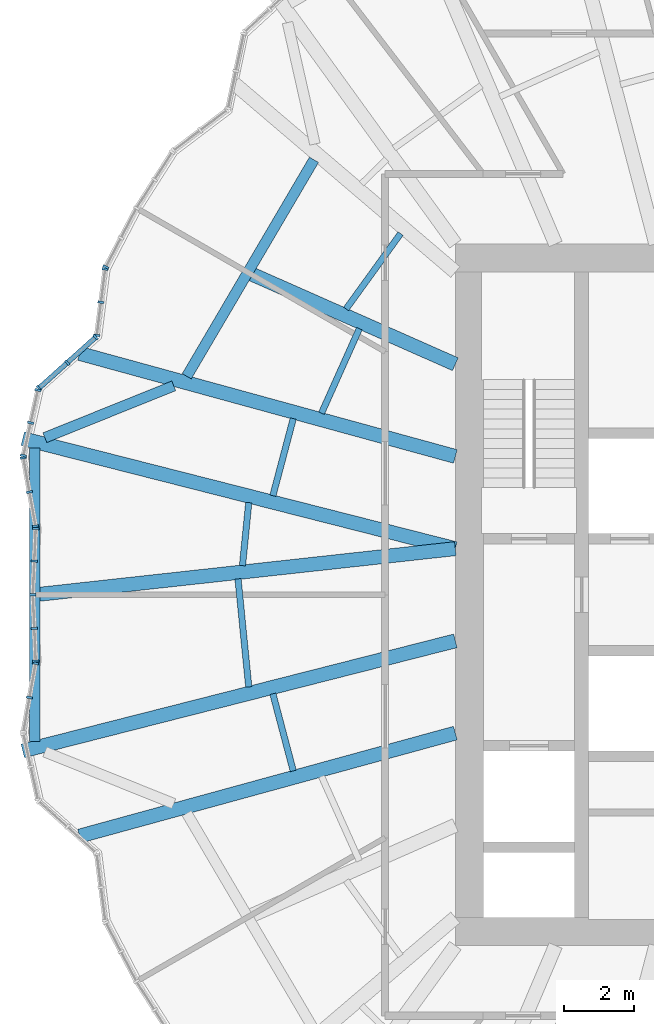
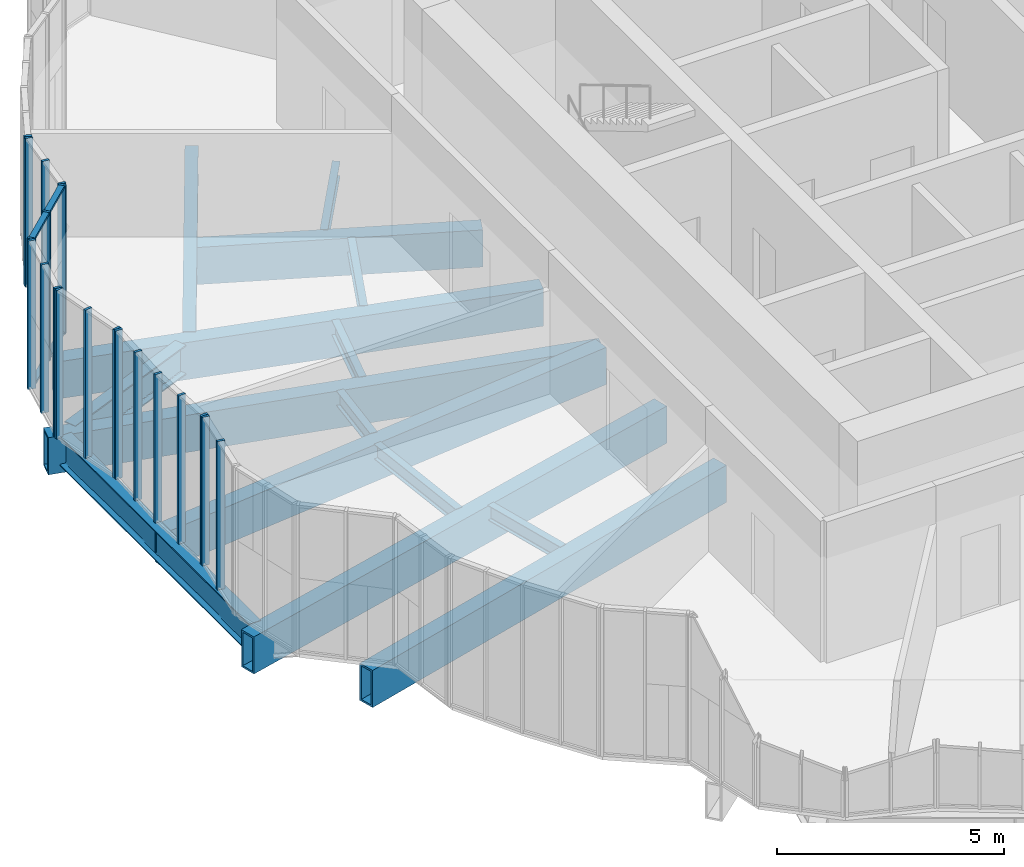
# One storey, part 4 of 23: 24 members, 15 beams, 8 elements without a shape of their own.
"""IFC4 building model written with IfcOpenShell, lengths in metres."""

import ifcopenshell
import ifcopenshell.guid

model = None  # the IFC model being written
_history = None  # IfcOwnerHistory: only IFC2X3 demands one
_inside = {}  # id of a spatial element -> (the spatial element, [elements in it])
_under = {}  # id of a project, library or spatial element -> (it, [spatial elements below it])
_declared = {}  # id of a project -> (the project, [libraries it declares])
_typed = {}  # id of a type object -> (the type object, [elements of that type])
_made_of = {}  # id of a material, layer set ... -> (it, [elements and type objects made of it])


def new_model(schema):
    """Start an empty IFC model of exactly this schema.

    Asked for "IFC4X3", IfcOpenShell would pick the latest addendum, in which some entities
    have other attributes; the version numbers below select the first issue.
    IFC2X3 requires an IfcOwnerHistory on every rooted entity: one is made here for all.
    """
    global model, _history
    if schema == "IFC4X3":
        model = ifcopenshell.file(schema_version=(4, 3, 0, 0))
    else:
        model = ifcopenshell.file(schema=schema)
    _inside.clear()
    _under.clear()
    _declared.clear()
    _typed.clear()
    _made_of.clear()
    _history = None
    if model.schema == "IFC2X3":
        org = make("IfcOrganization", Name="unknown")
        user = make(
            "IfcPersonAndOrganization",
            ThePerson=make("IfcPerson", FamilyName="unknown"),
            TheOrganization=org,
        )
        app = make(
            "IfcApplication",
            ApplicationDeveloper=org,
            Version="unknown",
            ApplicationFullName="unknown",
            ApplicationIdentifier="unknown",
        )
        _history = make(
            "IfcOwnerHistory",
            OwningUser=user,
            OwningApplication=app,
            ChangeAction="ADDED",
            CreationDate=0,
        )
    return model


def make(cls, **values):
    """One entity of the class cls with the attributes given. An attribute that is None is left unset."""
    return model.create_entity(
        cls, **{name: value for name, value in values.items() if value is not None}
    )


def rooted(cls, **values):
    """An entity with a GlobalId (a new one), such as an element, a storey or a relation."""
    return make(cls, GlobalId=ifcopenshell.guid.new(), OwnerHistory=_history, **values)


def si_unit(unit_type, name, prefix=None):
    """IfcSIUnit, for example si_unit("LENGTHUNIT", "METRE", prefix="MILLI")."""
    return make("IfcSIUnit", UnitType=unit_type, Prefix=prefix, Name=name)


def assignment(units):
    """IfcUnitAssignment: the units of a project."""
    return None if units is None else make("IfcUnitAssignment", Units=units)


def point(xyz):
    """IfcCartesianPoint."""
    return None if xyz is None else make("IfcCartesianPoint", Coordinates=xyz)


def direction(xyz):
    """IfcDirection."""
    return None if xyz is None else make("IfcDirection", DirectionRatios=xyz)


def frame(location, z_axis=None, x_axis=None):
    """IfcAxis2Placement3D, a coordinate frame: its origin and axes. An axis left out is left unset."""
    return make(
        "IfcAxis2Placement3D",
        Location=point(location),
        Axis=direction(z_axis),
        RefDirection=direction(x_axis),
    )


def frame_2d(location, x_axis=None):
    """IfcAxis2Placement2D, a coordinate frame in the plane: its origin and x axis."""
    return make(
        "IfcAxis2Placement2D", Location=point(location), RefDirection=direction(x_axis)
    )


def origin():
    """The frame at (0, 0, 0) with its axes left unset."""
    return frame((0.0, 0.0, 0.0))


def origin_2d():
    """The frame at (0, 0) in the plane with its x axis left unset."""
    return frame_2d((0.0, 0.0))


def place(relative_to, where):
    """IfcLocalPlacement: puts the frame where relative to a parent placement (None: the world)."""
    return make(
        "IfcLocalPlacement", PlacementRelTo=relative_to, RelativePlacement=where
    )


def context(
    kind, dimensions, precision=None, world=None, true_north=None, identifier=None
):
    """IfcGeometricRepresentationContext, for example the 3D "Model" context."""
    return make(
        "IfcGeometricRepresentationContext",
        ContextIdentifier=identifier,
        ContextType=kind,
        CoordinateSpaceDimension=dimensions,
        Precision=precision,
        WorldCoordinateSystem=world,
        TrueNorth=true_north,
    )


def subcontext(parent, identifier, kind, view, scale=None):
    """IfcGeometricRepresentationSubContext, for example "Body" below "Model"."""
    return make(
        "IfcGeometricRepresentationSubContext",
        ContextIdentifier=identifier,
        ContextType=kind,
        ParentContext=parent,
        TargetScale=scale,
        TargetView=view,
    )


def project(units=None, contexts=None):
    """IfcProject with its units and contexts."""
    return rooted(
        "IfcProject",
        Name="project",
        RepresentationContexts=contexts,
        UnitsInContext=assignment(units),
    )


def spatial(cls, under=None, at=None, **own):
    """A site, building, storey or space (cls), placed at a placement, below another one or the project."""
    s = rooted(cls, ObjectPlacement=at, **own)
    if under is not None:
        _under.setdefault(under.id(), (under, []))[1].append(s)
    return s


def profile(cls, at=None, kind="AREA", **sizes):
    """A parametric profile (cls). Its sizes go by their IFC names, for example OverallWidth=200.0."""
    return make(cls, ProfileType=kind, Position=at, **sizes)


def rectangle(**sizes):
    """IfcRectangleProfileDef."""
    return profile("IfcRectangleProfileDef", **sizes)


def hollow_rectangle(**sizes):
    """IfcRectangleHollowProfileDef."""
    return profile("IfcRectangleHollowProfileDef", **sizes)


def i_section(**sizes):
    """IfcIShapeProfileDef."""
    return profile("IfcIShapeProfileDef", **sizes)


def extrude(swept, where, along, depth):
    """IfcExtrudedAreaSolid: the profile swept, set in the frame where, extruded along a direction by depth."""
    return make(
        "IfcExtrudedAreaSolid",
        SweptArea=swept,
        Position=where,
        ExtrudedDirection=direction(along),
        Depth=depth,
    )


def shape(context_of_items, identifier, shape_type, items):
    """IfcShapeRepresentation: the items that make up one representation, for example the "Body"."""
    return make(
        "IfcShapeRepresentation",
        ContextOfItems=context_of_items,
        RepresentationIdentifier=identifier,
        RepresentationType=shape_type,
        Items=items,
    )


def material(Name=None, Category=None):
    """IfcMaterial."""
    return make("IfcMaterial", Name=Name, Category=Category)


def material_profile(
    of_material, cross_section, Name=None, Category=None, Priority=None
):
    """IfcMaterialProfile: a cross section and its material."""
    return make(
        "IfcMaterialProfile",
        Name=Name,
        Material=of_material,
        Profile=cross_section,
        Priority=Priority,
        Category=Category,
    )


def profile_set(profiles, Name=None, composite=None):
    """IfcMaterialProfileSet."""
    return make(
        "IfcMaterialProfileSet",
        Name=Name,
        MaterialProfiles=profiles,
        CompositeProfile=composite,
    )


def made_of(thing, what):
    """Note that an element or type object is made of a material, layer set ...; save() writes the relation."""
    if what is not None:
        _made_of.setdefault(what.id(), (what, []))[1].append(thing)
    return thing


def type_object(cls, material=None, **own):
    """A type object (cls), such as IfcWallType, which elements share."""
    return made_of(rooted(cls, **own), material)


def element(
    cls,
    number,
    at=None,
    inside=None,
    cuts=None,
    type_object=None,
    material=None,
    context=None,
    identifier="Body",
    shape_type=None,
    held_by="IfcProductDefinitionShape",
    body=None,
    shapes=None,
    **own,
):
    """One element of the class cls, such as IfcWall. Its Tag is "e" and its number.

    at: its placement. inside: the storey or other place that contains it. cuts: it is an
    opening in that element (IfcRelVoidsElement). A single representation is given by context,
    identifier, shape_type and body (its items); several are given by shapes. held_by: the class
    of the entity that holds the representations. save() writes the other relations.
    """
    e = rooted(cls, Tag="e%d" % number, ObjectPlacement=at, **own)
    if body is not None:
        shapes = [shape(context, identifier, shape_type, body)]
    if shapes is not None:
        e.Representation = make(held_by, Representations=shapes)
    if inside is not None:
        _inside.setdefault(inside.id(), (inside, []))[1].append(e)
    if cuts is not None:
        rooted(
            "IfcRelVoidsElement", RelatingBuildingElement=cuts, RelatedOpeningElement=e
        )
    if type_object is not None:
        _typed.setdefault(type_object.id(), (type_object, []))[1].append(e)
    return made_of(e, material)


def aggregate(whole, parts):
    """IfcRelAggregates: a whole, such as a stair, and the parts it consists of."""
    return rooted("IfcRelAggregates", RelatingObject=whole, RelatedObjects=parts)


def save(model, path):
    """Write the relations noted so far, then the file.

    IfcRelAggregates (storeys below a building ...), IfcRelContainedInSpatialStructure (elements
    in a storey), IfcRelDefinesByType, IfcRelAssociatesMaterial and IfcRelDeclares: one each for
    every whole, place, type object, material and project.
    """
    for whole, parts in _under.values():
        aggregate(whole, parts)
    for where, things in _inside.values():
        rooted(
            "IfcRelContainedInSpatialStructure",
            RelatedElements=things,
            RelatingStructure=where,
        )
    for kind, things in _typed.values():
        rooted("IfcRelDefinesByType", RelatedObjects=things, RelatingType=kind)
    for what, things in _made_of.values():
        rooted("IfcRelAssociatesMaterial", RelatedObjects=things, RelatingMaterial=what)
    for by, libraries in _declared.values():
        rooted("IfcRelDeclares", RelatingContext=by, RelatedDefinitions=libraries)
    model.write(path)


model = new_model("IFC4")

# Units and contexts
model_context = context("Model", 3, precision=1e-05, world=origin(), true_north=direction((0.0, 1.0)))
body_context = subcontext(model_context, "Body", "Model", "MODEL_VIEW")
ifc_project = project(units=[si_unit("LENGTHUNIT", "METRE"), si_unit("AREAUNIT", "SQUARE_METRE"), si_unit("VOLUMEUNIT", "CUBIC_METRE"), si_unit("PLANEANGLEUNIT", "RADIAN"), si_unit("MASSUNIT", "GRAM", prefix="KILO")], contexts=[model_context])

# Site, building, storey
site_placement = place(None, origin())
site = spatial("IfcSite", under=ifc_project, at=site_placement, CompositionType="ELEMENT")
building_placement = place(site_placement, origin())
building = spatial("IfcBuilding", under=site, at=building_placement, Name="Golbaran Civic Tower", CompositionType="ELEMENT")
storey_placement = place(building_placement, frame((0.0, 0.0, 33.0)))
storey = spatial("IfcBuildingStorey", under=building, at=storey_placement, Name="L07", CompositionType="ELEMENT", Elevation=33.0)

# Beams
ifc_material_1 = material(Name="Steel S355", Category="steel")
ifc_material_profile_1 = material_profile(ifc_material_1, i_section(OverallWidth=0.300048828125, OverallDepth=0.800048828125, WebThickness=0.017578125, FlangeThickness=0.032958984375, FilletRadius=0.030029296875, at=origin_2d()), Name="HEB 800")
ifc_profile_set_1 = profile_set([ifc_material_profile_1], Name="Steel S355")
beam_type_1 = type_object("IfcBeamType", Name="EDGE BEAM HEB 800", PredefinedType="BEAM", material=ifc_profile_set_1)
beam_1_placement = place(storey_placement, frame((-14.029541015625, 12.398193359375, -0.60009765625), z_axis=(-0.506678694853, -0.862134966338, 0.0), x_axis=(0.862134966338, -0.506678694853, 0.0)))
element("IfcBeam", 1, at=beam_1_placement, inside=storey, type_object=beam_type_1, Name="Edge beam 138.26 L07", PredefinedType="BEAM", context=body_context, shape_type="SweptSolid", body=[
    extrude(i_section(OverallWidth=0.300048828125, OverallDepth=0.800048828125, WebThickness=0.017578125, FlangeThickness=0.032958984375, FilletRadius=0.030029296875, at=origin_2d()), origin(), (0.0, 0.0, 1.0), 7.15673828125),
])
beam_2_placement = place(storey_placement, frame((-18.026123046875, 5.9560546875, -0.60009765625), z_axis=(-0.927675405766, -0.373387655845, 0.0), x_axis=(0.373387655845, -0.927675405766, 0.0)))
element("IfcBeam", 2, at=beam_2_placement, inside=storey, type_object=beam_type_1, Name="Edge beam 161.74 L07", PredefinedType="BEAM", context=body_context, shape_type="SweptSolid", body=[
    extrude(i_section(OverallWidth=0.300048828125, OverallDepth=0.800048828125, WebThickness=0.017578125, FlangeThickness=0.032958984375, FilletRadius=0.030029296875, at=origin_2d()), origin(), (0.0, 0.0, 1.0), 3.9609375),
])
beam_3_placement = place(storey_placement, frame((-21.9833984375, 4.177490234375, -0.60009765625), z_axis=(0.0, -1.0, 0.0), x_axis=(1.0, 0.0, 0.0)))
element("IfcBeam", 3, at=beam_3_placement, inside=storey, type_object=beam_type_1, Name="Edge beam 168.64 L07", PredefinedType="BEAM", context=body_context, shape_type="SweptSolid", body=[
    extrude(i_section(OverallWidth=0.300048828125, OverallDepth=0.800048828125, WebThickness=0.017578125, FlangeThickness=0.032958984375, FilletRadius=0.030029296875, at=origin_2d()), origin(), (0.0, 0.0, 1.0), 8.35498046875),
])
ifc_material_profile_2 = material_profile(ifc_material_1, i_section(OverallWidth=0.179931640625, OverallDepth=0.39990234375, WebThickness=0.008544921875, FlangeThickness=0.013427734375, FilletRadius=0.02099609375, at=origin_2d()), Name="IPE 400")
ifc_profile_set_2 = profile_set([ifc_material_profile_2], Name="Steel S355")
beam_type_2 = type_object("IfcBeamType", Name="FLOOR INFILL BEAM IPE 400", PredefinedType="BEAM", material=ifc_profile_set_2)
beam_4_placement = place(storey_placement, frame((-11.56103515625, 10.294189453125, -0.39990234375), z_axis=(-0.585967975109, -0.810334210155, 0.0), x_axis=(0.810334210155, -0.585967975109, 0.0)))
element("IfcBeam", 4, at=beam_4_placement, inside=storey, type_object=beam_type_2, Name="Infill beam 144.13 L07", PredefinedType="BEAM", context=body_context, shape_type="SweptSolid", body=[
    extrude(i_section(OverallWidth=0.179931640625, OverallDepth=0.39990234375, WebThickness=0.008544921875, FlangeThickness=0.013427734375, FilletRadius=0.02099609375, at=origin_2d()), origin(), (0.0, 0.0, 1.0), 2.650634765625),
])
beam_5_placement = place(storey_placement, frame((-12.7353515625, 7.5849609375, -0.39990234375), z_axis=(-0.408830249642, -0.912610446454, 0.0), x_axis=(0.912610446454, -0.408830249642, 0.0)))
element("IfcBeam", 5, at=beam_5_placement, inside=storey, type_object=beam_type_2, Name="Infill beam 155.87 L07", PredefinedType="BEAM", context=body_context, shape_type="SweptSolid", body=[
    extrude(i_section(OverallWidth=0.179931640625, OverallDepth=0.39990234375, WebThickness=0.008544921875, FlangeThickness=0.013427734375, FilletRadius=0.02099609375, at=origin_2d()), origin(), (0.0, 0.0, 1.0), 2.640625),
])
beam_6_placement = place(storey_placement, frame((-14.61962890625, 5.0224609375, -0.39990234375), z_axis=(-0.255644761984, -0.966770787555, 0.0), x_axis=(0.966770787555, -0.255644761984, 0.0)))
element("IfcBeam", 6, at=beam_6_placement, inside=storey, type_object=beam_type_2, Name="Infill beam 165.19 L07", PredefinedType="BEAM", context=body_context, shape_type="SweptSolid", body=[
    extrude(i_section(OverallWidth=0.179931640625, OverallDepth=0.39990234375, WebThickness=0.008544921875, FlangeThickness=0.013427734375, FilletRadius=0.02099609375, at=origin_2d()), origin(), (0.0, 0.0, 1.0), 2.27490234375),
])
beam_7_placement = place(storey_placement, frame((-15.888671875, 2.626708984375, -0.39990234375), z_axis=(-0.098968249065, -0.995090591694, 0.0), x_axis=(0.995090591694, -0.098968249065, 0.0)))
element("IfcBeam", 7, at=beam_7_placement, inside=storey, type_object=beam_type_2, Name="Infill beam 174.32 L07", PredefinedType="BEAM", context=body_context, shape_type="SweptSolid", body=[
    extrude(i_section(OverallWidth=0.179931640625, OverallDepth=0.39990234375, WebThickness=0.008544921875, FlangeThickness=0.013427734375, FilletRadius=0.02099609375, at=origin_2d()), origin(), (0.0, 0.0, 1.0), 1.8056640625),
])
beam_8_placement = place(storey_placement, frame((-16.195068359375, 0.453857421875, -0.39990234375), z_axis=(0.098972747745, -0.99509014426, 0.0), x_axis=(0.99509014426, 0.098972747745, 0.0)))
element("IfcBeam", 8, at=beam_8_placement, inside=storey, type_object=beam_type_2, Name="Infill beam 185.68 L07", PredefinedType="BEAM", context=body_context, shape_type="SweptSolid", body=[
    extrude(i_section(OverallWidth=0.179931640625, OverallDepth=0.39990234375, WebThickness=0.008544921875, FlangeThickness=0.013427734375, FilletRadius=0.02099609375, at=origin_2d()), origin(), (0.0, 0.0, 1.0), 3.095703125),
])
beam_9_placement = place(storey_placement, frame((-15.201171875, -2.8232421875, -0.39990234375), z_axis=(0.255644761984, -0.966770787555, 0.0), x_axis=(0.966770787555, 0.255644761984, 0.0)))
element("IfcBeam", 9, at=beam_9_placement, inside=storey, type_object=beam_type_2, Name="Infill beam 194.81 L07", PredefinedType="BEAM", context=body_context, shape_type="SweptSolid", body=[
    extrude(i_section(OverallWidth=0.179931640625, OverallDepth=0.39990234375, WebThickness=0.008544921875, FlangeThickness=0.013427734375, FilletRadius=0.02099609375, at=origin_2d()), origin(), (0.0, 0.0, 1.0), 2.27490234375),
])

# Curtain wall, member
ifc_material_2 = material(Name="Aluminium and glass", Category="aluminium")
curtain_wall_type = type_object("IfcCurtainWallType", Name="INNER SKIN CURTAIN WALL", PredefinedType="NOTDEFINED", material=ifc_material_2)
curtain_wall_1_placement = place(storey_placement, origin())
curtain_wall_1 = element("IfcCurtainWall", 10, at=curtain_wall_1_placement, inside=storey, type_object=curtain_wall_type, Name="Inner skin L07 facet 31 CW1", ObjectType="INNER SKIN", PredefinedType="USERDEFINED")
ifc_material_3 = material(Name="Aluminium", Category="aluminium")
ifc_material_profile_3 = material_profile(ifc_material_3, rectangle(XDim=0.179931640625, YDim=0.06494140625, at=origin_2d()), Name="INNER SKIN CURTAIN WALL MULLION")
ifc_profile_set_3 = profile_set([ifc_material_profile_3], Name="Aluminium")
member_type_1 = type_object("IfcMemberType", Name="INNER SKIN CURTAIN WALL MULLION", PredefinedType="MULLION", material=ifc_profile_set_3)
member_1_placement = place(storey_placement, frame((-19.964599609375, 9.345458984375, 0.0), z_axis=(0.0, 0.0, 1.0), x_axis=(0.887010833146, -0.461748613297, 0.0)))
member_1 = element("IfcMember", 11, at=member_1_placement, type_object=member_type_1, Name="CW1 mullion 3", PredefinedType="MULLION", context=body_context, shape_type="SweptSolid", body=[
    extrude(rectangle(XDim=0.179931640625, YDim=0.06494140625, at=origin_2d()), origin(), (0.0, 0.0, 1.0), 4.0),
])
aggregate(curtain_wall_1, [member_1])

# Curtain wall, members
curtain_wall_2_placement = place(storey_placement, origin())
curtain_wall_2 = element("IfcCurtainWall", 12, at=curtain_wall_2_placement, inside=storey, type_object=curtain_wall_type, Name="Inner skin L07 facet 32 CW1", ObjectType="INNER SKIN", PredefinedType="USERDEFINED")
member_2_placement = place(storey_placement, frame((-19.983642578125, 9.284423828125, 0.0), z_axis=(0.0, 0.0, 1.0), x_axis=(0.992027138401, -0.126024428889, 0.0)))
member_2 = element("IfcMember", 13, at=member_2_placement, type_object=member_type_1, Name="CW1 mullion 1", PredefinedType="MULLION", context=body_context, shape_type="SweptSolid", body=[
    extrude(rectangle(XDim=0.179931640625, YDim=0.06494140625, at=origin_2d()), origin(), (0.0, 0.0, 1.0), 4.0),
])
member_3_placement = place(storey_placement, frame((-20.103759765625, 8.33935546875, 0.0), z_axis=(0.0, 0.0, 1.0), x_axis=(0.992027138401, -0.126024428889, 0.0)))
member_3 = element("IfcMember", 14, at=member_3_placement, type_object=member_type_1, Name="CW1 mullion 2", PredefinedType="MULLION", context=body_context, shape_type="SweptSolid", body=[
    extrude(rectangle(XDim=0.179931640625, YDim=0.06494140625, at=origin_2d()), origin(), (0.0, 0.0, 1.0), 4.0),
])
member_4_placement = place(storey_placement, frame((-20.2236328125, 7.39453125, 0.0), z_axis=(0.0, 0.0, 1.0), x_axis=(0.992027138401, -0.126024428889, 0.0)))
member_4 = element("IfcMember", 15, at=member_4_placement, type_object=member_type_1, Name="CW1 mullion 3", PredefinedType="MULLION", context=body_context, shape_type="SweptSolid", body=[
    extrude(rectangle(XDim=0.179931640625, YDim=0.06494140625, at=origin_2d()), origin(), (0.0, 0.0, 1.0), 4.0),
])
aggregate(curtain_wall_2, [member_2, member_3, member_4])

curtain_wall_3_placement = place(storey_placement, origin())
curtain_wall_3 = element("IfcCurtainWall", 16, at=curtain_wall_3_placement, inside=storey, type_object=curtain_wall_type, Name="Inner skin L07 facet 33 CW1", ObjectType="INNER SKIN", PredefinedType="USERDEFINED")
member_5_placement = place(storey_placement, frame((-20.251953125, 7.340576171875, 0.0), z_axis=(0.0, 0.0, 1.0), x_axis=(0.668420309882, -0.743783765174, 0.0)))
member_5 = element("IfcMember", 17, at=member_5_placement, type_object=member_type_1, Name="CW1 mullion 1", PredefinedType="MULLION", context=body_context, shape_type="SweptSolid", body=[
    extrude(rectangle(XDim=0.179931640625, YDim=0.06494140625, at=origin_2d()), origin(), (0.0, 0.0, 1.0), 4.0),
])
member_6_placement = place(storey_placement, frame((-21.060302734375, 6.6142578125, 0.0), z_axis=(0.0, 0.0, 1.0), x_axis=(0.668420309882, -0.743783765174, 0.0)))
member_6 = element("IfcMember", 18, at=member_6_placement, type_object=member_type_1, Name="CW1 mullion 2", PredefinedType="MULLION", context=body_context, shape_type="SweptSolid", body=[
    extrude(rectangle(XDim=0.179931640625, YDim=0.06494140625, at=origin_2d()), origin(), (0.0, 0.0, 1.0), 4.0),
])
member_7_placement = place(storey_placement, frame((-21.86865234375, 5.887939453125, 0.0), z_axis=(0.0, 0.0, 1.0), x_axis=(0.668420309882, -0.743783765174, 0.0)))
member_7 = element("IfcMember", 19, at=member_7_placement, type_object=member_type_1, Name="CW1 mullion 3", PredefinedType="MULLION", context=body_context, shape_type="SweptSolid", body=[
    extrude(rectangle(XDim=0.179931640625, YDim=0.06494140625, at=origin_2d()), origin(), (0.0, 0.0, 1.0), 4.0),
])

curtain_wall_4_placement = place(storey_placement, origin())
curtain_wall_4 = element("IfcCurtainWall", 20, at=curtain_wall_4_placement, inside=storey, type_object=curtain_wall_type, Name="Inner skin L07 facet 34 CW1", ObjectType="INNER SKIN", PredefinedType="USERDEFINED")
member_8_placement = place(storey_placement, frame((-21.899658203125, 5.83447265625, 0.0), z_axis=(0.0, 0.0, 1.0), x_axis=(0.976296007127, -0.216439613904, 0.0)))
member_8 = element("IfcMember", 21, at=member_8_placement, type_object=member_type_1, Name="CW1 mullion 1", PredefinedType="MULLION", context=body_context, shape_type="SweptSolid", body=[
    extrude(rectangle(XDim=0.179931640625, YDim=0.06494140625, at=origin_2d()), origin(), (0.0, 0.0, 1.0), 4.0),
])
member_9_placement = place(storey_placement, frame((-22.106689453125, 4.90087890625, 0.0), z_axis=(0.0, 0.0, 1.0), x_axis=(0.976296007127, -0.216439613904, 0.0)))
member_9 = element("IfcMember", 22, at=member_9_placement, type_object=member_type_1, Name="CW1 mullion 2", PredefinedType="MULLION", context=body_context, shape_type="SweptSolid", body=[
    extrude(rectangle(XDim=0.179931640625, YDim=0.06494140625, at=origin_2d()), origin(), (0.0, 0.0, 1.0), 4.0),
])
member_10_placement = place(storey_placement, frame((-22.313720703125, 3.967529296875, 0.0), z_axis=(0.0, 0.0, 1.0), x_axis=(0.976296007127, -0.216439613904, 0.0)))
member_10 = element("IfcMember", 23, at=member_10_placement, type_object=member_type_1, Name="CW1 mullion 3", PredefinedType="MULLION", context=body_context, shape_type="SweptSolid", body=[
    extrude(rectangle(XDim=0.179931640625, YDim=0.06494140625, at=origin_2d()), origin(), (0.0, 0.0, 1.0), 4.0),
])
aggregate(curtain_wall_4, [member_8, member_9, member_10])

curtain_wall_5_placement = place(storey_placement, origin())
curtain_wall_5 = element("IfcCurtainWall", 24, at=curtain_wall_5_placement, inside=storey, type_object=curtain_wall_type, Name="Inner skin L07 facet 35 CW1", ObjectType="INNER SKIN", PredefinedType="USERDEFINED")
member_11_placement = place(storey_placement, frame((-22.31494140625, 3.90380859375, 0.0), z_axis=(0.0, 0.0, 1.0), x_axis=(0.984440805521, 0.175716534296, 0.0)))
member_11 = element("IfcMember", 25, at=member_11_placement, type_object=member_type_1, Name="CW1 mullion 1", PredefinedType="MULLION", context=body_context, shape_type="SweptSolid", body=[
    extrude(rectangle(XDim=0.179931640625, YDim=0.06494140625, at=origin_2d()), origin(), (0.0, 0.0, 1.0), 4.0),
])
member_12_placement = place(storey_placement, frame((-22.140869140625, 2.928466796875, 0.0), z_axis=(0.0, 0.0, 1.0), x_axis=(0.984440805521, 0.175716534296, 0.0)))
member_12 = element("IfcMember", 26, at=member_12_placement, type_object=member_type_1, Name="CW1 mullion 2", PredefinedType="MULLION", context=body_context, shape_type="SweptSolid", body=[
    extrude(rectangle(XDim=0.179931640625, YDim=0.06494140625, at=origin_2d()), origin(), (0.0, 0.0, 1.0), 4.0),
])
member_13_placement = place(storey_placement, frame((-21.966796875, 1.953369140625, 0.0), z_axis=(0.0, 0.0, 1.0), x_axis=(0.984440805521, 0.175716534296, 0.0)))
member_13 = element("IfcMember", 27, at=member_13_placement, type_object=member_type_1, Name="CW1 mullion 3", PredefinedType="MULLION", context=body_context, shape_type="SweptSolid", body=[
    extrude(rectangle(XDim=0.179931640625, YDim=0.06494140625, at=origin_2d()), origin(), (0.0, 0.0, 1.0), 4.0),
])
aggregate(curtain_wall_5, [member_11, member_12, member_13])

curtain_wall_6_placement = place(storey_placement, origin())
curtain_wall_6 = element("IfcCurtainWall", 28, at=curtain_wall_6_placement, inside=storey, type_object=curtain_wall_type, Name="Inner skin L07 facet 36 CW1", ObjectType="INNER SKIN", PredefinedType="USERDEFINED")
member_14_placement = place(storey_placement, frame((-21.962646484375, 1.888916015625, 0.0), z_axis=(0.0, 0.0, 1.0), x_axis=(0.999048221572, -0.043619387592, 0.0)))
member_14 = element("IfcMember", 29, at=member_14_placement, type_object=member_type_1, Name="CW1 mullion 1", PredefinedType="MULLION", context=body_context, shape_type="SweptSolid", body=[
    extrude(rectangle(XDim=0.179931640625, YDim=0.06494140625, at=origin_2d()), origin(), (0.0, 0.0, 1.0), 4.0),
])
member_15_placement = place(storey_placement, frame((-22.003173828125, 0.960693359375, 0.0), z_axis=(0.0, 0.0, 1.0), x_axis=(0.999048221572, -0.043619387592, 0.0)))
member_15 = element("IfcMember", 30, at=member_15_placement, type_object=member_type_1, Name="CW1 mullion 2", PredefinedType="MULLION", context=body_context, shape_type="SweptSolid", body=[
    extrude(rectangle(XDim=0.179931640625, YDim=0.06494140625, at=origin_2d()), origin(), (0.0, 0.0, 1.0), 4.0),
])
member_16_placement = place(storey_placement, frame((-22.044921875, 0.0, 0.0), z_axis=(0.0, 0.0, 1.0), x_axis=(1.0, -1.05e-10, 0.0)))
member_16 = element("IfcMember", 31, at=member_16_placement, type_object=member_type_1, Name="CW1 mullion 3", PredefinedType="MULLION", context=body_context, shape_type="SweptSolid", body=[
    extrude(rectangle(XDim=0.179931640625, YDim=0.06494140625, at=origin_2d()), origin(), (0.0, 0.0, 1.0), 4.0),
])
aggregate(curtain_wall_6, [member_14, member_15, member_16])

curtain_wall_7_placement = place(storey_placement, origin())
curtain_wall_7 = element("IfcCurtainWall", 32, at=curtain_wall_7_placement, inside=storey, type_object=curtain_wall_type, Name="Inner skin L07 facet 37 CW1", ObjectType="INNER SKIN", PredefinedType="USERDEFINED")
member_17_placement = place(storey_placement, frame((-22.003173828125, -0.960693359375, 0.0), z_axis=(0.0, 0.0, 1.0), x_axis=(0.999048221572, 0.043619387592, 0.0)))
member_17 = element("IfcMember", 33, at=member_17_placement, type_object=member_type_1, Name="CW1 mullion 2", PredefinedType="MULLION", context=body_context, shape_type="SweptSolid", body=[
    extrude(rectangle(XDim=0.179931640625, YDim=0.06494140625, at=origin_2d()), origin(), (0.0, 0.0, 1.0), 4.0),
])
member_18_placement = place(storey_placement, frame((-21.962646484375, -1.888916015625, 0.0), z_axis=(0.0, 0.0, 1.0), x_axis=(0.999048221572, 0.043619387592, 0.0)))
member_18 = element("IfcMember", 34, at=member_18_placement, type_object=member_type_1, Name="CW1 mullion 3", PredefinedType="MULLION", context=body_context, shape_type="SweptSolid", body=[
    extrude(rectangle(XDim=0.179931640625, YDim=0.06494140625, at=origin_2d()), origin(), (0.0, 0.0, 1.0), 4.0),
])
aggregate(curtain_wall_7, [member_17, member_18])

curtain_wall_8_placement = place(storey_placement, origin())
curtain_wall_8 = element("IfcCurtainWall", 35, at=curtain_wall_8_placement, inside=storey, type_object=curtain_wall_type, Name="Inner skin L07 facet 38 CW1", ObjectType="INNER SKIN", PredefinedType="USERDEFINED")
member_19_placement = place(storey_placement, frame((-21.966796875, -1.953369140625, 0.0), z_axis=(0.0, 0.0, 1.0), x_axis=(0.984440805521, -0.175716534296, 0.0)))
member_19 = element("IfcMember", 36, at=member_19_placement, type_object=member_type_1, Name="CW1 mullion 1", PredefinedType="MULLION", context=body_context, shape_type="SweptSolid", body=[
    extrude(rectangle(XDim=0.179931640625, YDim=0.06494140625, at=origin_2d()), origin(), (0.0, 0.0, 1.0), 4.0),
])
member_20_placement = place(storey_placement, frame((-22.140869140625, -2.928466796875, 0.0), z_axis=(0.0, 0.0, 1.0), x_axis=(0.984440805521, -0.175716534296, 0.0)))
member_20 = element("IfcMember", 37, at=member_20_placement, type_object=member_type_1, Name="CW1 mullion 2", PredefinedType="MULLION", context=body_context, shape_type="SweptSolid", body=[
    extrude(rectangle(XDim=0.179931640625, YDim=0.06494140625, at=origin_2d()), origin(), (0.0, 0.0, 1.0), 4.0),
])
aggregate(curtain_wall_8, [member_19, member_20])

# Member
ifc_material_profile_4 = material_profile(ifc_material_3, rectangle(XDim=0.139892578125, YDim=0.06494140625, at=origin_2d()), Name="INNER SKIN CURTAIN WALL TRANSOM")
ifc_profile_set_4 = profile_set([ifc_material_profile_4], Name="Aluminium")
member_type_2 = type_object("IfcMemberType", Name="INNER SKIN CURTAIN WALL TRANSOM", PredefinedType="USERDEFINED", material=ifc_profile_set_4)
member_21_placement = place(storey_placement, frame((-20.276123046875, 7.31884765625, 0.032470703125), z_axis=(-0.743852318106, -0.668344019834, 0.0), x_axis=(0.668344019834, -0.743852318106, 0.0)))
member_21 = element("IfcMember", 38, at=member_21_placement, type_object=member_type_2, Name="CW1 transom 1.1", ObjectType="TRANSOM", PredefinedType="USERDEFINED", context=body_context, shape_type="SweptSolid", body=[
    extrude(rectangle(XDim=0.139892578125, YDim=0.06494140625, at=origin_2d()), origin(), (0.0, 0.0, 1.0), 1.021728515625),
])

member_22_placement = place(storey_placement, frame((-20.276123046875, 7.31884765625, 3.967529296875), z_axis=(-0.743852318106, -0.668344019834, 0.0), x_axis=(0.668344019834, -0.743852318106, 0.0)))
member_22 = element("IfcMember", 39, at=member_22_placement, type_object=member_type_2, Name="CW1 transom 1.2", ObjectType="TRANSOM", PredefinedType="USERDEFINED", context=body_context, shape_type="SweptSolid", body=[
    extrude(rectangle(XDim=0.139892578125, YDim=0.06494140625, at=origin_2d()), origin(), (0.0, 0.0, 1.0), 1.021728515625),
])

member_23_placement = place(storey_placement, frame((-21.08447265625, 6.592529296875, 0.032470703125), z_axis=(-0.743852318106, -0.668344019834, 0.0), x_axis=(0.668344019834, -0.743852318106, 0.0)))
member_23 = element("IfcMember", 40, at=member_23_placement, type_object=member_type_2, Name="CW1 transom 2.1", ObjectType="TRANSOM", PredefinedType="USERDEFINED", context=body_context, shape_type="SweptSolid", body=[
    extrude(rectangle(XDim=0.139892578125, YDim=0.06494140625, at=origin_2d()), origin(), (0.0, 0.0, 1.0), 1.021728515625),
])

member_24_placement = place(storey_placement, frame((-21.08447265625, 6.592529296875, 3.967529296875), z_axis=(-0.743852318106, -0.668344019834, 0.0), x_axis=(0.668344019834, -0.743852318106, 0.0)))
member_24 = element("IfcMember", 41, at=member_24_placement, type_object=member_type_2, Name="CW1 transom 2.2", ObjectType="TRANSOM", PredefinedType="USERDEFINED", context=body_context, shape_type="SweptSolid", body=[
    extrude(rectangle(XDim=0.139892578125, YDim=0.06494140625, at=origin_2d()), origin(), (0.0, 0.0, 1.0), 1.021728515625),
])

aggregate(curtain_wall_3, [member_5, member_6, member_7, member_21, member_22, member_23, member_24])

# Beams
ifc_material_profile_5 = material_profile(ifc_material_1, hollow_rectangle(XDim=0.39990234375, YDim=1.0, WallThickness=0.050048828125, at=origin_2d()), Name="BOX 1000x400x50")
ifc_profile_set_5 = profile_set([ifc_material_profile_5], Name="Steel S355")
beam_type_3 = type_object("IfcBeamType", Name="RADIAL FLOOR BEAM BOX 1000x400x50", PredefinedType="BEAM", material=ifc_profile_set_5)
beam_10_placement = place(storey_placement, frame((-10.0, 3.94287109375, -0.7099609375), z_axis=(-0.964429275127, 0.264341017018, 0.0), x_axis=(-0.264341017018, -0.964429275127, 0.0)))
element("IfcBeam", 42, at=beam_10_placement, inside=storey, type_object=beam_type_3, Name="Radial beam 161.74 L07", PredefinedType="BEAM", context=body_context, shape_type="SweptSolid", body=[
    extrude(hollow_rectangle(XDim=0.39990234375, YDim=1.0, WallThickness=0.050048828125, at=origin_2d()), origin(), (0.0, 0.0, 1.0), 11.10693359375),
])
for number, where, z_axis, x_axis, name in (
    (43, (-10.0, 1.314208984375, -0.7099609375), (-0.969120520059, 0.246587545512, 0.0), (-0.246587545512, -0.969120520059, 0.0), "Radial beam 168.64 L07"),
    (44, (-10.0, -1.314208984375, -0.7099609375), (-0.969120520059, -0.246587545512, 0.0), (0.246587545512, -0.969120520059, 0.0), "Radial beam 191.36 L07"),
):
    element("IfcBeam", number, at=place(storey_placement, frame(where, z_axis=z_axis, x_axis=x_axis)), inside=storey, type_object=beam_type_3, Name=name, PredefinedType="BEAM", context=body_context, shape_type="SweptSolid", body=[
        extrude(hollow_rectangle(XDim=0.39990234375, YDim=1.0, WallThickness=0.050048828125, at=origin_2d()), origin(), (0.0, 0.0, 1.0), 12.724365234375),
    ])
beam_11_placement = place(storey_placement, frame((-10.0, -3.94287109375, -0.7099609375), z_axis=(-0.964429275127, -0.264341017018, 0.0), x_axis=(0.264341017018, -0.964429275127, 0.0)))
element("IfcBeam", 45, at=beam_11_placement, inside=storey, type_object=beam_type_3, Name="Radial beam 198.26 L07", PredefinedType="BEAM", context=body_context, shape_type="SweptSolid", body=[
    extrude(hollow_rectangle(XDim=0.39990234375, YDim=1.0, WallThickness=0.050048828125, at=origin_2d()), origin(), (0.0, 0.0, 1.0), 11.10693359375),
])
ifc_material_profile_6 = material_profile(ifc_material_1, hollow_rectangle(XDim=0.39990234375, YDim=1.0, WallThickness=0.0400390625, at=origin_2d()), Name="BOX 1000x400x40")
ifc_profile_set_6 = profile_set([ifc_material_profile_6], Name="Steel S355")
beam_type_4 = type_object("IfcBeamType", Name="SECONDARY FLOOR BEAM BOX 1000x400x40", PredefinedType="BEAM", material=ifc_profile_set_6)
beam_12_placement = place(storey_placement, frame((-10.0, 6.571533203125, -0.7099609375), z_axis=(-0.914487271555, 0.404614668744, 0.0), x_axis=(-0.404614668744, -0.914487271555, 0.0)))
element("IfcBeam", 46, at=beam_12_placement, inside=storey, type_object=beam_type_4, Name="Secondary beam 150.00 L07", PredefinedType="BEAM", context=body_context, shape_type="SweptSolid", body=[
    extrude(hollow_rectangle(XDim=0.39990234375, YDim=1.0, WallThickness=0.0400390625, at=origin_2d()), origin(), (0.0, 0.0, 1.0), 6.468994140625),
])
beam_13_placement = place(storey_placement, frame((-10.0, 1.314208984375, -0.7099609375), z_axis=(-0.994040048141, -0.109015515833, 0.0), x_axis=(0.109015515833, -0.994040048141, 0.0)))
element("IfcBeam", 47, at=beam_13_placement, inside=storey, type_object=beam_type_4, Name="Secondary beam 180.00 L07", PredefinedType="BEAM", context=body_context, shape_type="SweptSolid", body=[
    extrude(hollow_rectangle(XDim=0.39990234375, YDim=1.0, WallThickness=0.0400390625, at=origin_2d()), origin(), (0.0, 0.0, 1.0), 12.05517578125),
])

save(model, "model.ifc")
